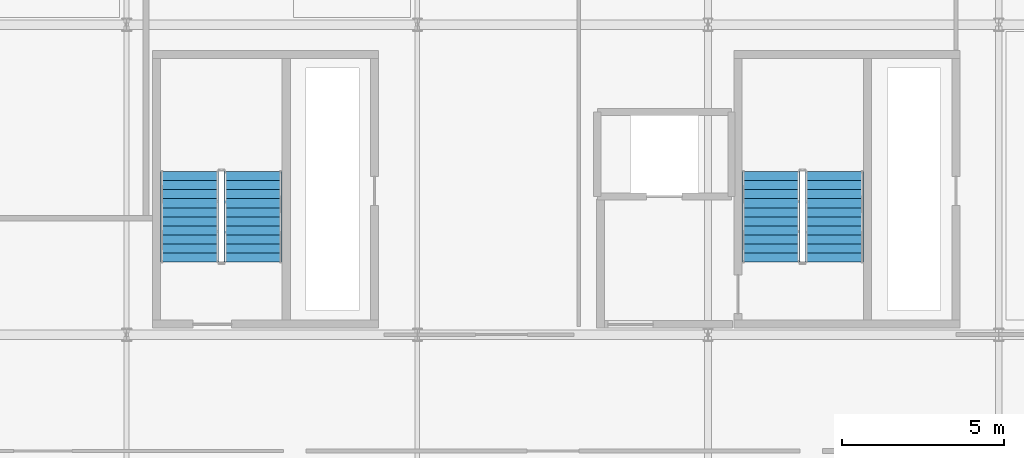
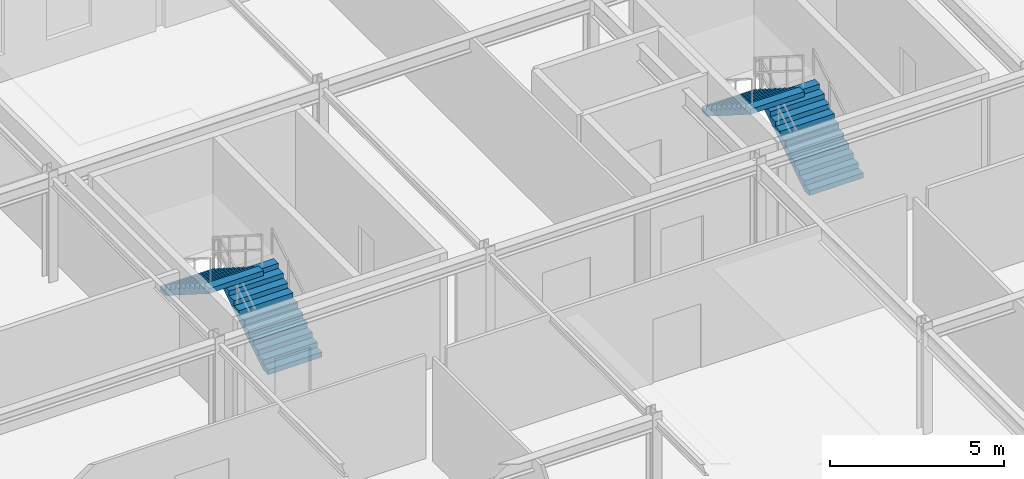
# One storey, part 40 of 52: 4 stair flights, 2 elements without a shape of their own.
"""IFC4 building model written with IfcOpenShell, lengths in metres."""

from ifc_helpers import new_model, si_unit, direction, frame, origin, place, context, subcontext, project, spatial, polyline, outline, extrude, material, type_object, element, aggregate, save


model = new_model("IFC4")

# Units and contexts
model_context = context("Model", 3, precision=1e-05, world=origin(), true_north=direction((0.0, 1.0)))
body_context = subcontext(model_context, "Body", "Model", "MODEL_VIEW")
ifc_project = project(units=[si_unit("LENGTHUNIT", "METRE"), si_unit("AREAUNIT", "SQUARE_METRE"), si_unit("VOLUMEUNIT", "CUBIC_METRE"), si_unit("PLANEANGLEUNIT", "RADIAN"), si_unit("MASSUNIT", "GRAM", prefix="KILO")], contexts=[model_context])

# Site, building, storey
site_placement = place(None, origin())
site = spatial("IfcSite", under=ifc_project, at=site_placement, CompositionType="ELEMENT")
building_placement = place(site_placement, origin())
building = spatial("IfcBuilding", under=site, at=building_placement, Name="Myrtia Square Station", CompositionType="ELEMENT")
storey_placement = place(building_placement, frame((0.0, 0.0, 15.0)))
storey = spatial("IfcBuildingStorey", under=building, at=storey_placement, Name="L03", CompositionType="ELEMENT", Elevation=15.0)

# Stair, stair flights
ifc_material = material(Name="Concrete C35/45", Category="concrete")
stair_type = type_object("IfcStairType", Name="STR-05-22R-1800W", PredefinedType="HALF_TURN_STAIR", material=ifc_material)
stair_1_placement = place(storey_placement, origin())
stair_1 = element("IfcStair", 1, at=stair_1_placement, inside=storey, type_object=stair_type, Name="L03 Core escape stair ST08", PredefinedType="HALF_TURN_STAIR")
stair_flight_type = type_object("IfcStairFlightType", Name="STF-05-11R-1800W", PredefinedType="STRAIGHT", material=ifc_material)
stair_flight_1_placement = place(storey_placement, frame((174.909912109375, 107.85009765625, 0.0), z_axis=(0.0, 0.0, 1.0), x_axis=(0.0, 1.0, 0.0)))
stair_flight_1 = element("IfcStairFlight", 2, at=stair_flight_1_placement, type_object=stair_flight_type, Name="ST08 flight 1", NumberOfRisers=11, NumberOfTreads=10, PredefinedType="STRAIGHT", RiserHeight=0.177272727, TreadLength=0.28, context=body_context, shape_type="SweptSolid", body=[
    extrude(outline(polyline([(0.0, 0.0), (0.0, 0.17724609375), (0.280029296875, 0.17724609375), (0.280029296875, 0.3544921875), (0.56005859375, 0.3544921875), (0.56005859375, 0.53173828125), (0.840087890625, 0.53173828125), (0.840087890625, 0.708984375), (1.1201171875, 0.708984375), (1.1201171875, 0.886474609375), (1.39990234375, 0.886474609375), (1.39990234375, 1.063720703125), (1.679931640625, 1.063720703125), (1.679931640625, 1.240966796875), (1.9599609375, 1.240966796875), (1.9599609375, 1.418212890625), (2.239990234375, 1.418212890625), (2.239990234375, 1.595458984375), (2.52001953125, 1.595458984375), (2.52001953125, 1.772705078125), (2.800048828125, 1.772705078125), (2.800048828125, 1.949951171875), (2.800048828125, 1.59521484375), (0.2802734375, 0.0), (0.0, 0.0)])), frame((0.0, 0.89990234375, 0.0), z_axis=(0.0, -1.0, 0.0), x_axis=(1.0, 0.0, 0.0)), (0.0, 0.0, 1.0), 1.800048828125),
])
stair_flight_2_placement = place(storey_placement, frame((172.949951171875, 110.64990234375, 1.949951171875), z_axis=(0.0, 0.0, 1.0), x_axis=(0.0, -1.0, 0.0)))
stair_flight_2 = element("IfcStairFlight", 3, at=stair_flight_2_placement, type_object=stair_flight_type, Name="ST08 flight 2", NumberOfRisers=11, NumberOfTreads=10, PredefinedType="STRAIGHT", RiserHeight=0.177272727, TreadLength=0.28, context=body_context, shape_type="SweptSolid", body=[
    extrude(outline(polyline([(0.0, 0.0), (0.0, 0.17724609375), (0.280029296875, 0.17724609375), (0.280029296875, 0.3544921875), (0.56005859375, 0.3544921875), (0.56005859375, 0.53173828125), (0.840087890625, 0.53173828125), (0.840087890625, 0.708984375), (1.1201171875, 0.708984375), (1.1201171875, 0.886474609375), (1.39990234375, 0.886474609375), (1.39990234375, 1.063720703125), (1.679931640625, 1.063720703125), (1.679931640625, 1.240966796875), (1.9599609375, 1.240966796875), (1.9599609375, 1.418212890625), (2.239990234375, 1.418212890625), (2.239990234375, 1.595458984375), (2.52001953125, 1.595458984375), (2.52001953125, 1.772705078125), (2.800048828125, 1.772705078125), (2.800048828125, 1.949951171875), (2.800048828125, 1.59521484375), (0.2802734375, 0.0), (0.0, 0.0)])), frame((0.0, 0.89990234375, 0.0), z_axis=(0.0, -1.0, 0.0), x_axis=(1.0, 0.0, 0.0)), (0.0, 0.0, 1.0), 1.800048828125),
])
aggregate(stair_1, [stair_flight_1, stair_flight_2])

stair_2_placement = place(storey_placement, origin())
stair_2 = element("IfcStair", 4, at=stair_2_placement, inside=storey, type_object=stair_type, Name="L03 Core escape stair ST15", PredefinedType="HALF_TURN_STAIR")
stair_flight_3_placement = place(storey_placement, frame((156.909912109375, 107.85009765625, 0.0), z_axis=(0.0, 0.0, 1.0), x_axis=(0.0, 1.0, 0.0)))
stair_flight_3 = element("IfcStairFlight", 5, at=stair_flight_3_placement, type_object=stair_flight_type, Name="ST15 flight 1", NumberOfRisers=11, NumberOfTreads=10, PredefinedType="STRAIGHT", RiserHeight=0.177272727, TreadLength=0.28, context=body_context, shape_type="SweptSolid", body=[
    extrude(outline(polyline([(0.0, 0.0), (0.0, 0.17724609375), (0.280029296875, 0.17724609375), (0.280029296875, 0.3544921875), (0.56005859375, 0.3544921875), (0.56005859375, 0.53173828125), (0.840087890625, 0.53173828125), (0.840087890625, 0.708984375), (1.1201171875, 0.708984375), (1.1201171875, 0.886474609375), (1.39990234375, 0.886474609375), (1.39990234375, 1.063720703125), (1.679931640625, 1.063720703125), (1.679931640625, 1.240966796875), (1.9599609375, 1.240966796875), (1.9599609375, 1.418212890625), (2.239990234375, 1.418212890625), (2.239990234375, 1.595458984375), (2.52001953125, 1.595458984375), (2.52001953125, 1.772705078125), (2.800048828125, 1.772705078125), (2.800048828125, 1.949951171875), (2.800048828125, 1.59521484375), (0.2802734375, 0.0), (0.0, 0.0)])), frame((0.0, 0.89990234375, 0.0), z_axis=(0.0, -1.0, 0.0), x_axis=(1.0, 0.0, 0.0)), (0.0, 0.0, 1.0), 1.800048828125),
])
stair_flight_4_placement = place(storey_placement, frame((154.949951171875, 110.64990234375, 1.949951171875), z_axis=(0.0, 0.0, 1.0), x_axis=(0.0, -1.0, 0.0)))
stair_flight_4 = element("IfcStairFlight", 6, at=stair_flight_4_placement, type_object=stair_flight_type, Name="ST15 flight 2", NumberOfRisers=11, NumberOfTreads=10, PredefinedType="STRAIGHT", RiserHeight=0.177272727, TreadLength=0.28, context=body_context, shape_type="SweptSolid", body=[
    extrude(outline(polyline([(0.0, 0.0), (0.0, 0.17724609375), (0.280029296875, 0.17724609375), (0.280029296875, 0.3544921875), (0.56005859375, 0.3544921875), (0.56005859375, 0.53173828125), (0.840087890625, 0.53173828125), (0.840087890625, 0.708984375), (1.1201171875, 0.708984375), (1.1201171875, 0.886474609375), (1.39990234375, 0.886474609375), (1.39990234375, 1.063720703125), (1.679931640625, 1.063720703125), (1.679931640625, 1.240966796875), (1.9599609375, 1.240966796875), (1.9599609375, 1.418212890625), (2.239990234375, 1.418212890625), (2.239990234375, 1.595458984375), (2.52001953125, 1.595458984375), (2.52001953125, 1.772705078125), (2.800048828125, 1.772705078125), (2.800048828125, 1.949951171875), (2.800048828125, 1.59521484375), (0.2802734375, 0.0), (0.0, 0.0)])), frame((0.0, 0.89990234375, 0.0), z_axis=(0.0, -1.0, 0.0), x_axis=(1.0, 0.0, 0.0)), (0.0, 0.0, 1.0), 1.800048828125),
])
aggregate(stair_2, [stair_flight_3, stair_flight_4])

save(model, "model.ifc")
